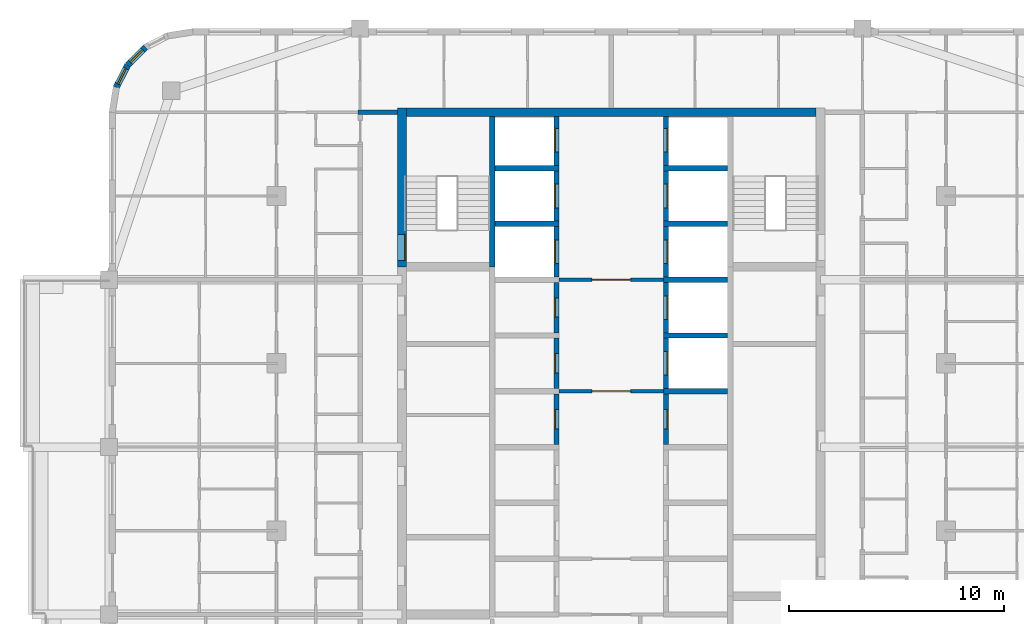
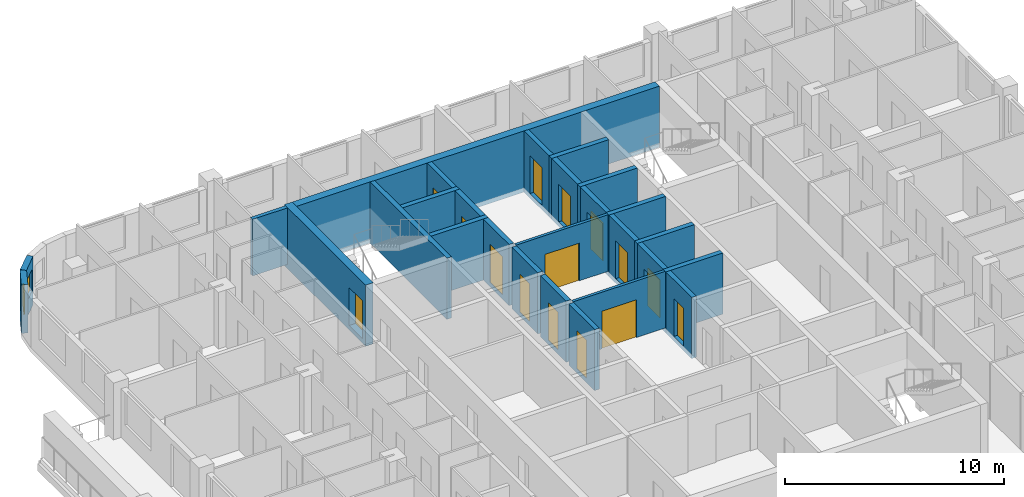
# One storey, part 9 of 16: 27 walls, 15 doors, 2 windows, 17 openings.
"""IFC4 building model written with IfcOpenShell, lengths in metres."""

from ifc_helpers import new_model, si_unit, direction, frame, frame_2d, origin, place, context, subcontext, project, spatial, rectangle, extrude, material, layer, layer_set, type_object, element, fill, save


model = new_model("IFC4")

# Units and contexts
model_context = context("Model", 3, precision=1e-05, world=origin(), true_north=direction((0.0, 1.0)))
body_context = subcontext(model_context, "Body", "Model", "MODEL_VIEW")
ifc_project = project(units=[si_unit("LENGTHUNIT", "METRE"), si_unit("AREAUNIT", "SQUARE_METRE"), si_unit("VOLUMEUNIT", "CUBIC_METRE"), si_unit("PLANEANGLEUNIT", "RADIAN"), si_unit("MASSUNIT", "GRAM", prefix="KILO")], contexts=[model_context])

# Site, building, storey
site_placement = place(None, origin())
site = spatial("IfcSite", under=ifc_project, at=site_placement, CompositionType="ELEMENT")
building_placement = place(site_placement, origin())
building = spatial("IfcBuilding", under=site, at=building_placement, Name="Ludao Terraces", CompositionType="ELEMENT")
storey_placement = place(building_placement, frame((0.0, 0.0, 234.699951171875)))
storey = spatial("IfcBuildingStorey", under=building, at=storey_placement, Name="L64", CompositionType="ELEMENT", Elevation=234.699951171875)

# Wall, opening, door
ifc_material_1 = material(Name="Concrete C50", Category="concrete")
ifc_layer_1 = layer(ifc_material_1, 0.39990234375)
ifc_layer_set_1 = layer_set([ifc_layer_1], Name="Core wall 400 C50")
wall_type_1 = type_object("IfcWallType", Name="Core wall 400 C50", PredefinedType="SOLIDWALL", material=ifc_layer_set_1)
wall_1_placement = place(storey_placement, frame((75.25, 77.300048828125, -0.25), z_axis=(0.0, 0.0, 1.0), x_axis=(0.0, 1.0, 0.0)))
wall_1 = element("IfcWall", 1, at=wall_1_placement, inside=storey, type_object=wall_type_1, Name="Core wall L64 outer-W-S1", PredefinedType="SOLIDWALL", context=body_context, shape_type="SweptSolid", body=[
    extrude(rectangle(XDim=7.39990234375, YDim=0.39990234375, at=frame_2d((3.699951171875, 0.0))), origin(), (0.0, 0.0, 1.0), 3.400146484375),
])
opening_1_placement = place(wall_1_placement, frame((0.300048828125, 0.0, 0.25)))
opening_1 = element("IfcOpeningElement", 2, at=opening_1_placement, cuts=wall_1, Name="Opening R23-113", PredefinedType="OPENING", context=body_context, shape_type="SweptSolid", body=[
    extrude(rectangle(XDim=1.199951171875, YDim=2.10009765625, at=frame_2d((0.60009765625, 1.050048828125))), frame((0.0, 0.2099609375, 0.0), z_axis=(0.0, -1.0, 0.0), x_axis=(1.0, 0.0, 0.0)), (0.0, 0.0, 1.0), 0.419921875),
])
ifc_material_2 = material(Name="Steel Q235", Category="steel")
door_type_1 = type_object("IfcDoorType", Name="INT Stair door 1200", OperationType="DOUBLE_DOOR_SINGLE_SWING", PredefinedType="DOOR", material=ifc_material_2)
door_1_placement = place(opening_1_placement, origin())
door_1 = element("IfcDoor", 3, at=door_1_placement, inside=storey, type_object=door_type_1, Name="DOOR 113", OperationType="DOUBLE_DOOR_SINGLE_SWING", OverallHeight=2.10009765625, OverallWidth=1.199951171875, PredefinedType="DOOR", context=body_context, shape_type="SweptSolid", body=[
    extrude(rectangle(XDim=1.199951171875, YDim=2.10009765625, at=frame_2d((0.60009765625, 1.050048828125))), frame((0.0, -0.134765625, 0.0), z_axis=(0.0, -1.0, 0.0), x_axis=(1.0, 0.0, 0.0)), (0.0, 0.0, 1.0), 0.050048828125),
])
fill(opening_1, door_1)

# Wall
wall_2_placement = place(storey_placement, frame((75.449951171875, 84.5, -0.25), z_axis=(0.0, 0.0, 1.0), x_axis=(1.0, 0.0, 0.0)))
element("IfcWall", 4, at=wall_2_placement, inside=storey, type_object=wall_type_1, Name="Core wall L64 outer-N", PredefinedType="SOLIDWALL", context=body_context, shape_type="SweptSolid", body=[
    extrude(rectangle(XDim=19.10009765625, YDim=0.39990234375, at=frame_2d((9.550048828125, 0.0))), origin(), (0.0, 0.0, 1.0), 3.400146484375),
])

# Wall, opening, window
ifc_material_3 = material(Name="Granite cladding", Category="masonry")
ifc_layer_2 = layer(ifc_material_3, 0.0400390625, Category="stone")
ifc_material_4 = material(Name="Mineral wool")
ifc_layer_3 = layer(ifc_material_4, 0.06005859375)
ifc_material_5 = material(Name="Concrete C40", Category="concrete")
ifc_layer_4 = layer(ifc_material_5, 0.199951171875, Category="concrete")
ifc_layer_set_2 = layer_set([ifc_layer_2, ifc_layer_3, ifc_layer_4], Name="ENV Stone-clad wall 300")
wall_type_2 = type_object("IfcWallType", Name="ENV Stone-clad wall 300", PredefinedType="SOLIDWALL", material=ifc_layer_set_2)
wall_3_placement = place(storey_placement, frame((63.2958984375, 87.53369140625, 0.0), z_axis=(0.0, 0.0, 1.0), x_axis=(-0.707106781187, -0.707106781187, 0.0)))
wall_3 = element("IfcWall", 5, at=wall_3_placement, inside=storey, type_object=wall_type_2, Name="EW-L64-NW3", PredefinedType="SOLIDWALL", context=body_context, shape_type="SweptSolid", body=[
    extrude(rectangle(XDim=1.173095703125, YDim=0.300048828125, at=frame_2d((0.58642578125, 0.0))), origin(), (0.0, 0.0, 1.0), 2.699951171875),
])
opening_2_placement = place(wall_3_placement, frame((0.1865234375, 0.0, 0.89990234375)))
opening_2 = element("IfcOpeningElement", 6, at=opening_2_placement, cuts=wall_3, Name="Opening W3", PredefinedType="OPENING", context=body_context, shape_type="SweptSolid", body=[
    extrude(rectangle(XDim=0.800048828125, YDim=1.199951171875, at=frame_2d((0.39990234375, 0.60009765625))), frame((0.0, 0.16015625, 0.0), z_axis=(0.0, -1.0, 0.0), x_axis=(1.0, 0.0, 0.0)), (0.0, 0.0, 1.0), 0.320068359375),
])
ifc_material_6 = material(Name="Clear glass in aluminium frame", Category="aluminium")
ifc_layer_5 = layer(ifc_material_6, 0.06005859375)
ifc_layer_set_3 = layer_set([ifc_layer_5], Name="ENV Window W3 800x1200")
window_type = type_object("IfcWindowType", Name="ENV Window W3 800x1200", PartitioningType="SINGLE_PANEL", PredefinedType="WINDOW", material=ifc_layer_set_3)
window_1_placement = place(opening_2_placement, origin())
window_1 = element("IfcWindow", 7, at=window_1_placement, inside=storey, type_object=window_type, Name="W-L64-NW3", OverallHeight=1.199951171875, OverallWidth=0.800048828125, PartitioningType="SINGLE_PANEL", PredefinedType="WINDOW", context=body_context, shape_type="SweptSolid", body=[
    extrude(rectangle(XDim=0.800048828125, YDim=1.199951171875, at=frame_2d((0.39990234375, 0.60009765625))), frame((0.0, 0.030029296875, 0.0), z_axis=(0.0, -1.0, 0.0), x_axis=(1.0, 0.0, 0.0)), (0.0, 0.0, 1.0), 0.06005859375),
])
fill(opening_2, window_1)

wall_4_placement = place(storey_placement, frame((62.46630859375, 86.7041015625, 0.0), z_axis=(0.0, 0.0, 1.0), x_axis=(-0.454025524128, -0.890988677504, 0.0)))
wall_4 = element("IfcWall", 8, at=wall_4_placement, inside=storey, type_object=wall_type_2, Name="EW-L64-NW4", PredefinedType="SOLIDWALL", context=body_context, shape_type="SweptSolid", body=[
    extrude(rectangle(XDim=1.17333984375, YDim=0.300048828125, at=frame_2d((0.586669921875, 0.0))), origin(), (0.0, 0.0, 1.0), 2.699951171875),
])
opening_3_placement = place(wall_4_placement, frame((0.1865234375, 0.0, 0.89990234375)))
opening_3 = element("IfcOpeningElement", 9, at=opening_3_placement, cuts=wall_4, Name="Opening W3", PredefinedType="OPENING", context=body_context, shape_type="SweptSolid", body=[
    extrude(rectangle(XDim=0.800048828125, YDim=1.199951171875, at=frame_2d((0.39990234375, 0.60009765625))), frame((0.0, 0.16015625, 0.0), z_axis=(0.0, -1.0, 0.0), x_axis=(1.0, 0.0, 0.0)), (0.0, 0.0, 1.0), 0.320068359375),
])
window_2_placement = place(opening_3_placement, origin())
window_2 = element("IfcWindow", 10, at=window_2_placement, inside=storey, type_object=window_type, Name="W-L64-NW4", OverallHeight=1.199951171875, OverallWidth=0.800048828125, PartitioningType="SINGLE_PANEL", PredefinedType="WINDOW", context=body_context, shape_type="SweptSolid", body=[
    extrude(rectangle(XDim=0.800048828125, YDim=1.199951171875, at=frame_2d((0.39990234375, 0.60009765625))), frame((0.0, 0.030029296875, 0.0), z_axis=(0.0, -1.0, 0.0), x_axis=(1.0, 0.0, 0.0)), (0.0, 0.0, 1.0), 0.06005859375),
])
fill(opening_3, window_2)

# Wall, opening, door
ifc_material_7 = material(Name="Fire-rated gypsum plasterboard", Category="gypsum")
ifc_layer_6 = layer(ifc_material_7, 0.012451171875, Category="gypsum")
ifc_layer_7 = layer(ifc_material_4, 0.10009765625, Name="insulation")
ifc_layer_8 = layer(ifc_material_2, 0.02490234375, Name="stud")
ifc_layer_9 = layer(ifc_material_7, 0.012451171875, Category="gypsum")
ifc_layer_set_4 = layer_set([ifc_layer_6, ifc_layer_7, ifc_layer_8, ifc_layer_9], Name="INT Core partition 150")
wall_type_3 = type_object("IfcWallType", Name="INT Core partition 150", PredefinedType="PARTITIONING", material=ifc_layer_set_4)
wall_5_placement = place(storey_placement, frame((82.5751953125, 71.5, 0.0), z_axis=(0.0, 0.0, 1.0), x_axis=(1.0, 0.0, 0.0)))
wall_5 = element("IfcWall", 11, at=wall_5_placement, inside=storey, type_object=wall_type_3, Name="PW-L64-PW050", PredefinedType="PARTITIONING", context=body_context, shape_type="SweptSolid", body=[
    extrude(rectangle(XDim=4.849853515625, YDim=0.14990234375, at=frame_2d((2.4248046875, 0.0))), origin(), (0.0, 0.0, 1.0), 3.150146484375),
])
opening_4_placement = place(wall_5_placement, frame((1.52490234375, 0.0, 0.0)))
opening_4 = element("IfcOpeningElement", 12, at=opening_4_placement, cuts=wall_5, Name="Opening R23-091", PredefinedType="OPENING", context=body_context, shape_type="SweptSolid", body=[
    extrude(rectangle(XDim=1.800048828125, YDim=2.10009765625, at=frame_2d((0.89990234375, 1.050048828125))), frame((0.0, 0.0849609375, 0.0), z_axis=(0.0, -1.0, 0.0), x_axis=(1.0, 0.0, 0.0)), (0.0, 0.0, 1.0), 0.169921875),
])
door_type_2 = type_object("IfcDoorType", Name="INT Fire lobby door 1800", OperationType="DOUBLE_DOOR_SINGLE_SWING", PredefinedType="DOOR", material=ifc_material_2)
door_2_placement = place(opening_4_placement, origin())
door_2 = element("IfcDoor", 13, at=door_2_placement, inside=storey, type_object=door_type_2, Name="DOOR 091", OperationType="DOUBLE_DOOR_SINGLE_SWING", OverallHeight=2.10009765625, OverallWidth=1.800048828125, PredefinedType="DOOR", context=body_context, shape_type="SweptSolid", body=[
    extrude(rectangle(XDim=1.800048828125, YDim=2.10009765625, at=frame_2d((0.89990234375, 1.050048828125))), frame((0.0, 0.02490234375, 0.0), z_axis=(0.0, -1.0, 0.0), x_axis=(1.0, 0.0, 0.0)), (0.0, 0.0, 1.0), 0.050048828125),
])
fill(opening_4, door_2)

wall_6_placement = place(storey_placement, frame((82.5751953125, 76.699951171875, 0.0), z_axis=(0.0, 0.0, 1.0), x_axis=(1.0, 0.0, 0.0)))
wall_6 = element("IfcWall", 14, at=wall_6_placement, inside=storey, type_object=wall_type_3, Name="PW-L64-PW057", PredefinedType="PARTITIONING", context=body_context, shape_type="SweptSolid", body=[
    extrude(rectangle(XDim=4.849853515625, YDim=0.14990234375, at=frame_2d((2.4248046875, 0.0))), origin(), (0.0, 0.0, 1.0), 3.150146484375),
])
opening_5_placement = place(wall_6_placement, frame((1.52490234375, 0.0, 0.0)))
opening_5 = element("IfcOpeningElement", 15, at=opening_5_placement, cuts=wall_6, Name="Opening R23-108", PredefinedType="OPENING", context=body_context, shape_type="SweptSolid", body=[
    extrude(rectangle(XDim=1.800048828125, YDim=2.10009765625, at=frame_2d((0.89990234375, 1.050048828125))), frame((0.0, 0.0849609375, 0.0), z_axis=(0.0, -1.0, 0.0), x_axis=(1.0, 0.0, 0.0)), (0.0, 0.0, 1.0), 0.169921875),
])
door_3_placement = place(opening_5_placement, origin())
door_3 = element("IfcDoor", 16, at=door_3_placement, inside=storey, type_object=door_type_2, Name="DOOR 108", OperationType="DOUBLE_DOOR_SINGLE_SWING", OverallHeight=2.10009765625, OverallWidth=1.800048828125, PredefinedType="DOOR", context=body_context, shape_type="SweptSolid", body=[
    extrude(rectangle(XDim=1.800048828125, YDim=2.10009765625, at=frame_2d((0.89990234375, 1.050048828125))), frame((0.0, 0.02490234375, 0.0), z_axis=(0.0, -1.0, 0.0), x_axis=(1.0, 0.0, 0.0)), (0.0, 0.0, 1.0), 0.050048828125),
])
fill(opening_5, door_3)

# Walls
ifc_material_8 = material(Name="Autoclaved aerated concrete block B06 A3.5", Category="concrete")
ifc_layer_10 = layer(ifc_material_8, 0.199951171875)
ifc_layer_set_5 = layer_set([ifc_layer_10], Name="INT Entrance wall 200")
wall_type_4 = type_object("IfcWallType", Name="INT Entrance wall 200", PredefinedType="PARTITIONING", material=ifc_layer_set_5)
wall_7_placement = place(storey_placement, frame((73.2001953125, 84.5, 0.0), z_axis=(0.0, 0.0, 1.0), x_axis=(1.0, 0.0, 0.0)))
element("IfcWall", 17, at=wall_7_placement, inside=storey, type_object=wall_type_4, Name="PW-L64-PW068", PredefinedType="PARTITIONING", context=body_context, shape_type="SweptSolid", body=[
    extrude(rectangle(XDim=1.849853515625, YDim=0.199951171875, at=frame_2d((0.9248046875, 0.0))), origin(), (0.0, 0.0, 1.0), 3.150146484375),
])
ifc_layer_11 = layer(ifc_material_1, 0.25)
ifc_layer_set_6 = layer_set([ifc_layer_11], Name="Shaft wall 250 C50")
wall_type_5 = type_object("IfcWallType", Name="Shaft wall 250 C50", PredefinedType="SOLIDWALL", material=ifc_layer_set_6)
wall_8_placement = place(storey_placement, frame((79.449951171875, 77.300048828125, -0.25), z_axis=(0.0, 0.0, 1.0), x_axis=(0.0, 1.0, 0.0)))
element("IfcWall", 18, at=wall_8_placement, inside=storey, type_object=wall_type_5, Name="Core wall L64 back-W-S1", PredefinedType="SOLIDWALL", context=body_context, shape_type="SweptSolid", body=[
    extrude(rectangle(XDim=7.0, YDim=0.25, at=frame_2d((3.5, 0.0))), origin(), (0.0, 0.0, 1.0), 3.400146484375),
])

# Wall, opening, door
wall_9_placement = place(storey_placement, frame((82.449951171875, 69.02490234375, -0.25), z_axis=(0.0, 0.0, 1.0), x_axis=(0.0, 1.0, 0.0)))
wall_9 = element("IfcWall", 19, at=wall_9_placement, inside=storey, type_object=wall_type_5, Name="Core wall L64 front-W4", PredefinedType="SOLIDWALL", context=body_context, shape_type="SweptSolid", body=[
    extrude(rectangle(XDim=2.35009765625, YDim=0.25, at=frame_2d((1.175048828125, 0.0))), origin(), (0.0, 0.0, 1.0), 3.400146484375),
])
opening_6_placement = place(wall_9_placement, frame((0.72509765625, 0.0, 0.25)))
opening_6 = element("IfcOpeningElement", 20, at=opening_6_placement, cuts=wall_9, Name="Opening R23-085", PredefinedType="OPENING", context=body_context, shape_type="SweptSolid", body=[
    extrude(rectangle(XDim=0.89990234375, YDim=2.10009765625, at=frame_2d((0.449951171875, 1.050048828125))), frame((0.0, 0.135009765625, 0.0), z_axis=(0.0, -1.0, 0.0), x_axis=(1.0, 0.0, 0.0)), (0.0, 0.0, 1.0), 0.27001953125),
])
ifc_material_9 = material(Name="Timber door leaf", Category="wood")
door_type_3 = type_object("IfcDoorType", Name="INT Room door 900", OperationType="SINGLE_SWING_LEFT", PredefinedType="DOOR", material=ifc_material_9)
door_4_placement = place(opening_6_placement, origin())
door_4 = element("IfcDoor", 21, at=door_4_placement, inside=storey, type_object=door_type_3, Name="DOOR 085", OperationType="SINGLE_SWING_LEFT", OverallHeight=2.10009765625, OverallWidth=0.89990234375, PredefinedType="DOOR", context=body_context, shape_type="SweptSolid", body=[
    extrude(rectangle(XDim=0.89990234375, YDim=2.10009765625, at=frame_2d((0.449951171875, 1.050048828125))), frame((0.0, 0.10986328125, 0.0), z_axis=(0.0, -1.0, 0.0), x_axis=(1.0, 0.0, 0.0)), (0.0, 0.0, 1.0), 0.050048828125),
])
fill(opening_6, door_4)

wall_10_placement = place(storey_placement, frame((82.449951171875, 71.625, -0.25), z_axis=(0.0, 0.0, 1.0), x_axis=(0.0, 1.0, 0.0)))
wall_10 = element("IfcWall", 22, at=wall_10_placement, inside=storey, type_object=wall_type_5, Name="Core wall L64 front-W5", PredefinedType="SOLIDWALL", context=body_context, shape_type="SweptSolid", body=[
    extrude(rectangle(XDim=2.35009765625, YDim=0.25, at=frame_2d((1.175048828125, 0.0))), origin(), (0.0, 0.0, 1.0), 3.400146484375),
])
opening_7_placement = place(wall_10_placement, frame((0.72509765625, 0.0, 0.25)))
opening_7 = element("IfcOpeningElement", 23, at=opening_7_placement, cuts=wall_10, Name="Opening R23-095", PredefinedType="OPENING", context=body_context, shape_type="SweptSolid", body=[
    extrude(rectangle(XDim=0.89990234375, YDim=2.10009765625, at=frame_2d((0.449951171875, 1.050048828125))), frame((0.0, 0.135009765625, 0.0), z_axis=(0.0, -1.0, 0.0), x_axis=(1.0, 0.0, 0.0)), (0.0, 0.0, 1.0), 0.27001953125),
])
door_5_placement = place(opening_7_placement, origin())
door_5 = element("IfcDoor", 24, at=door_5_placement, inside=storey, type_object=door_type_3, Name="DOOR 095", OperationType="SINGLE_SWING_RIGHT", OverallHeight=2.10009765625, OverallWidth=0.89990234375, PredefinedType="DOOR", context=body_context, shape_type="SweptSolid", body=[
    extrude(rectangle(XDim=0.89990234375, YDim=2.10009765625, at=frame_2d((0.449951171875, 1.050048828125))), frame((0.0, 0.10986328125, 0.0), z_axis=(0.0, -1.0, 0.0), x_axis=(1.0, 0.0, 0.0)), (0.0, 0.0, 1.0), 0.050048828125),
])
fill(opening_7, door_5)

wall_11_placement = place(storey_placement, frame((82.449951171875, 74.22509765625, -0.25), z_axis=(0.0, 0.0, 1.0), x_axis=(0.0, 1.0, 0.0)))
wall_11 = element("IfcWall", 25, at=wall_11_placement, inside=storey, type_object=wall_type_5, Name="Core wall L64 front-W6", PredefinedType="SOLIDWALL", context=body_context, shape_type="SweptSolid", body=[
    extrude(rectangle(XDim=2.349853515625, YDim=0.25, at=frame_2d((1.1748046875, 0.0))), origin(), (0.0, 0.0, 1.0), 3.400146484375),
])
opening_8_placement = place(wall_11_placement, frame((0.72509765625, 0.0, 0.25)))
opening_8 = element("IfcOpeningElement", 26, at=opening_8_placement, cuts=wall_11, Name="Opening R23-101", PredefinedType="OPENING", context=body_context, shape_type="SweptSolid", body=[
    extrude(rectangle(XDim=0.89990234375, YDim=2.10009765625, at=frame_2d((0.449951171875, 1.050048828125))), frame((0.0, 0.135009765625, 0.0), z_axis=(0.0, -1.0, 0.0), x_axis=(1.0, 0.0, 0.0)), (0.0, 0.0, 1.0), 0.27001953125),
])
door_6_placement = place(opening_8_placement, origin())
door_6 = element("IfcDoor", 27, at=door_6_placement, inside=storey, type_object=door_type_3, Name="DOOR 101", OperationType="SINGLE_SWING_LEFT", OverallHeight=2.10009765625, OverallWidth=0.89990234375, PredefinedType="DOOR", context=body_context, shape_type="SweptSolid", body=[
    extrude(rectangle(XDim=0.89990234375, YDim=2.10009765625, at=frame_2d((0.449951171875, 1.050048828125))), frame((0.0, 0.10986328125, 0.0), z_axis=(0.0, -1.0, 0.0), x_axis=(1.0, 0.0, 0.0)), (0.0, 0.0, 1.0), 0.050048828125),
])
fill(opening_8, door_6)

wall_12_placement = place(storey_placement, frame((82.449951171875, 76.824951171875, -0.25), z_axis=(0.0, 0.0, 1.0), x_axis=(0.0, 1.0, 0.0)))
wall_12 = element("IfcWall", 28, at=wall_12_placement, inside=storey, type_object=wall_type_5, Name="Core wall L64 front-W7", PredefinedType="SOLIDWALL", context=body_context, shape_type="SweptSolid", body=[
    extrude(rectangle(XDim=2.35009765625, YDim=0.25, at=frame_2d((1.175048828125, 0.0))), origin(), (0.0, 0.0, 1.0), 3.400146484375),
])
opening_9_placement = place(wall_12_placement, frame((0.625, 0.0, 0.25)))
opening_9 = element("IfcOpeningElement", 29, at=opening_9_placement, cuts=wall_12, Name="Opening LD-FF1", PredefinedType="OPENING", context=body_context, shape_type="SweptSolid", body=[
    extrude(rectangle(XDim=1.10009765625, YDim=2.10009765625, at=frame_2d((0.550048828125, 1.050048828125))), frame((0.0, 0.135009765625, 0.0), z_axis=(0.0, -1.0, 0.0), x_axis=(1.0, 0.0, 0.0)), (0.0, 0.0, 1.0), 0.27001953125),
])
ifc_material_10 = material(Name="Stainless steel 304", Category="steel")
door_type_4 = type_object("IfcDoorType", Name="INT Lift landing door 1100", OperationType="SLIDING_TO_LEFT", PredefinedType="DOOR", material=ifc_material_10)
door_7_placement = place(opening_9_placement, origin())
door_7 = element("IfcDoor", 30, at=door_7_placement, inside=storey, type_object=door_type_4, Name="LANDING DOOR FF1 L64", OperationType="SLIDING_TO_LEFT", OverallHeight=2.10009765625, OverallWidth=1.10009765625, PredefinedType="DOOR", context=body_context, shape_type="SweptSolid", body=[
    extrude(rectangle(XDim=1.10009765625, YDim=2.10009765625, at=frame_2d((0.550048828125, 1.050048828125))), frame((0.0, 0.10986328125, 0.0), z_axis=(0.0, -1.0, 0.0), x_axis=(1.0, 0.0, 0.0)), (0.0, 0.0, 1.0), 0.050048828125),
])
fill(opening_9, door_7)

# Wall
wall_13_placement = place(storey_placement, frame((79.574951171875, 79.300048828125, -0.25), z_axis=(0.0, 0.0, 1.0), x_axis=(1.0, 0.0, 0.0)))
element("IfcWall", 31, at=wall_13_placement, inside=storey, type_object=wall_type_5, Name="Core wall L64 div-W8", PredefinedType="SOLIDWALL", context=body_context, shape_type="SweptSolid", body=[
    extrude(rectangle(XDim=3.0, YDim=0.25, at=frame_2d((1.5, 0.0))), origin(), (0.0, 0.0, 1.0), 3.400146484375),
])

# Wall, opening, door
wall_14_placement = place(storey_placement, frame((82.449951171875, 79.425048828125, -0.25), z_axis=(0.0, 0.0, 1.0), x_axis=(0.0, 1.0, 0.0)))
wall_14 = element("IfcWall", 32, at=wall_14_placement, inside=storey, type_object=wall_type_5, Name="Core wall L64 front-W8", PredefinedType="SOLIDWALL", context=body_context, shape_type="SweptSolid", body=[
    extrude(rectangle(XDim=2.349853515625, YDim=0.25, at=frame_2d((1.1748046875, 0.0))), origin(), (0.0, 0.0, 1.0), 3.400146484375),
])
opening_10_placement = place(wall_14_placement, frame((0.625, 0.0, 0.25)))
opening_10 = element("IfcOpeningElement", 33, at=opening_10_placement, cuts=wall_14, Name="Opening LD-FF2", PredefinedType="OPENING", context=body_context, shape_type="SweptSolid", body=[
    extrude(rectangle(XDim=1.10009765625, YDim=2.10009765625, at=frame_2d((0.550048828125, 1.050048828125))), frame((0.0, 0.135009765625, 0.0), z_axis=(0.0, -1.0, 0.0), x_axis=(1.0, 0.0, 0.0)), (0.0, 0.0, 1.0), 0.27001953125),
])
door_8_placement = place(opening_10_placement, origin())
door_8 = element("IfcDoor", 34, at=door_8_placement, inside=storey, type_object=door_type_4, Name="LANDING DOOR FF2 L64", OperationType="SLIDING_TO_LEFT", OverallHeight=2.10009765625, OverallWidth=1.10009765625, PredefinedType="DOOR", context=body_context, shape_type="SweptSolid", body=[
    extrude(rectangle(XDim=1.10009765625, YDim=2.10009765625, at=frame_2d((0.550048828125, 1.050048828125))), frame((0.0, 0.10986328125, 0.0), z_axis=(0.0, -1.0, 0.0), x_axis=(1.0, 0.0, 0.0)), (0.0, 0.0, 1.0), 0.050048828125),
])
fill(opening_10, door_8)

# Wall
wall_15_placement = place(storey_placement, frame((79.574951171875, 81.89990234375, -0.25), z_axis=(0.0, 0.0, 1.0), x_axis=(1.0, 0.0, 0.0)))
element("IfcWall", 35, at=wall_15_placement, inside=storey, type_object=wall_type_5, Name="Core wall L64 div-W9", PredefinedType="SOLIDWALL", context=body_context, shape_type="SweptSolid", body=[
    extrude(rectangle(XDim=3.0, YDim=0.25, at=frame_2d((1.5, 0.0))), origin(), (0.0, 0.0, 1.0), 3.400146484375),
])

# Wall, opening, door
wall_16_placement = place(storey_placement, frame((82.449951171875, 82.02490234375, -0.25), z_axis=(0.0, 0.0, 1.0), x_axis=(0.0, 1.0, 0.0)))
wall_16 = element("IfcWall", 36, at=wall_16_placement, inside=storey, type_object=wall_type_5, Name="Core wall L64 front-W9", PredefinedType="SOLIDWALL", context=body_context, shape_type="SweptSolid", body=[
    extrude(rectangle(XDim=2.275146484375, YDim=0.25, at=frame_2d((1.1376953125, 0.0))), origin(), (0.0, 0.0, 1.0), 3.400146484375),
])
opening_11_placement = place(wall_16_placement, frame((0.625, 0.0, 0.25)))
opening_11 = element("IfcOpeningElement", 37, at=opening_11_placement, cuts=wall_16, Name="Opening LD-LB6", PredefinedType="OPENING", context=body_context, shape_type="SweptSolid", body=[
    extrude(rectangle(XDim=1.10009765625, YDim=2.10009765625, at=frame_2d((0.550048828125, 1.050048828125))), frame((0.0, 0.135009765625, 0.0), z_axis=(0.0, -1.0, 0.0), x_axis=(1.0, 0.0, 0.0)), (0.0, 0.0, 1.0), 0.27001953125),
])
door_9_placement = place(opening_11_placement, origin())
door_9 = element("IfcDoor", 38, at=door_9_placement, inside=storey, type_object=door_type_4, Name="LANDING DOOR LB6 L64", OperationType="SLIDING_TO_RIGHT", OverallHeight=2.10009765625, OverallWidth=1.10009765625, PredefinedType="DOOR", context=body_context, shape_type="SweptSolid", body=[
    extrude(rectangle(XDim=1.10009765625, YDim=2.10009765625, at=frame_2d((0.550048828125, 1.050048828125))), frame((0.0, 0.10986328125, 0.0), z_axis=(0.0, -1.0, 0.0), x_axis=(1.0, 0.0, 0.0)), (0.0, 0.0, 1.0), 0.050048828125),
])
fill(opening_11, door_9)

wall_17_placement = place(storey_placement, frame((87.550048828125, 69.02490234375, -0.25), z_axis=(0.0, 0.0, 1.0), x_axis=(0.0, 1.0, 0.0)))
wall_17 = element("IfcWall", 39, at=wall_17_placement, inside=storey, type_object=wall_type_5, Name="Core wall L64 front-E4", PredefinedType="SOLIDWALL", context=body_context, shape_type="SweptSolid", body=[
    extrude(rectangle(XDim=2.35009765625, YDim=0.25, at=frame_2d((1.175048828125, 0.0))), origin(), (0.0, 0.0, 1.0), 3.400146484375),
])
opening_12_placement = place(wall_17_placement, frame((0.72509765625, 0.0, 0.25)))
opening_12 = element("IfcOpeningElement", 40, at=opening_12_placement, cuts=wall_17, Name="Opening R23-086", PredefinedType="OPENING", context=body_context, shape_type="SweptSolid", body=[
    extrude(rectangle(XDim=0.89990234375, YDim=2.10009765625, at=frame_2d((0.449951171875, 1.050048828125))), frame((0.0, 0.135009765625, 0.0), z_axis=(0.0, -1.0, 0.0), x_axis=(1.0, 0.0, 0.0)), (0.0, 0.0, 1.0), 0.27001953125),
])
door_10_placement = place(opening_12_placement, origin())
door_10 = element("IfcDoor", 41, at=door_10_placement, inside=storey, type_object=door_type_3, Name="DOOR 086", OperationType="SINGLE_SWING_RIGHT", OverallHeight=2.10009765625, OverallWidth=0.89990234375, PredefinedType="DOOR", context=body_context, shape_type="SweptSolid", body=[
    extrude(rectangle(XDim=0.89990234375, YDim=2.10009765625, at=frame_2d((0.449951171875, 1.050048828125))), frame((0.0, -0.06005859375, 0.0), z_axis=(0.0, -1.0, 0.0), x_axis=(1.0, 0.0, 0.0)), (0.0, 0.0, 1.0), 0.050048828125),
])
fill(opening_12, door_10)

# Wall
wall_18_placement = place(storey_placement, frame((87.425048828125, 71.5, -0.25), z_axis=(0.0, 0.0, 1.0), x_axis=(1.0, 0.0, 0.0)))
element("IfcWall", 42, at=wall_18_placement, inside=storey, type_object=wall_type_5, Name="Core wall L64 div-E5", PredefinedType="SOLIDWALL", context=body_context, shape_type="SweptSolid", body=[
    extrude(rectangle(XDim=3.0, YDim=0.25, at=frame_2d((1.5, 0.0))), origin(), (0.0, 0.0, 1.0), 3.400146484375),
])

# Wall, opening, door
wall_19_placement = place(storey_placement, frame((87.550048828125, 71.625, -0.25), z_axis=(0.0, 0.0, 1.0), x_axis=(0.0, 1.0, 0.0)))
wall_19 = element("IfcWall", 43, at=wall_19_placement, inside=storey, type_object=wall_type_5, Name="Core wall L64 front-E5", PredefinedType="SOLIDWALL", context=body_context, shape_type="SweptSolid", body=[
    extrude(rectangle(XDim=2.35009765625, YDim=0.25, at=frame_2d((1.175048828125, 0.0))), origin(), (0.0, 0.0, 1.0), 3.400146484375),
])
opening_13_placement = place(wall_19_placement, frame((0.625, 0.0, 0.25)))
opening_13 = element("IfcOpeningElement", 44, at=opening_13_placement, cuts=wall_19, Name="Opening LD-LB1", PredefinedType="OPENING", context=body_context, shape_type="SweptSolid", body=[
    extrude(rectangle(XDim=1.10009765625, YDim=2.10009765625, at=frame_2d((0.550048828125, 1.050048828125))), frame((0.0, 0.135009765625, 0.0), z_axis=(0.0, -1.0, 0.0), x_axis=(1.0, 0.0, 0.0)), (0.0, 0.0, 1.0), 0.27001953125),
])
door_11_placement = place(opening_13_placement, origin())
door_11 = element("IfcDoor", 45, at=door_11_placement, inside=storey, type_object=door_type_4, Name="LANDING DOOR LB1 L64", OperationType="SLIDING_TO_LEFT", OverallHeight=2.10009765625, OverallWidth=1.10009765625, PredefinedType="DOOR", context=body_context, shape_type="SweptSolid", body=[
    extrude(rectangle(XDim=1.10009765625, YDim=2.10009765625, at=frame_2d((0.550048828125, 1.050048828125))), frame((0.0, -0.06005859375, 0.0), z_axis=(0.0, -1.0, 0.0), x_axis=(1.0, 0.0, 0.0)), (0.0, 0.0, 1.0), 0.050048828125),
])
fill(opening_13, door_11)

# Wall
wall_20_placement = place(storey_placement, frame((87.425048828125, 74.10009765625, -0.25), z_axis=(0.0, 0.0, 1.0), x_axis=(1.0, 0.0, 0.0)))
element("IfcWall", 46, at=wall_20_placement, inside=storey, type_object=wall_type_5, Name="Core wall L64 div-E6", PredefinedType="SOLIDWALL", context=body_context, shape_type="SweptSolid", body=[
    extrude(rectangle(XDim=3.0, YDim=0.25, at=frame_2d((1.5, 0.0))), origin(), (0.0, 0.0, 1.0), 3.400146484375),
])

# Wall, opening, door
wall_21_placement = place(storey_placement, frame((87.550048828125, 74.22509765625, -0.25), z_axis=(0.0, 0.0, 1.0), x_axis=(0.0, 1.0, 0.0)))
wall_21 = element("IfcWall", 47, at=wall_21_placement, inside=storey, type_object=wall_type_5, Name="Core wall L64 front-E6", PredefinedType="SOLIDWALL", context=body_context, shape_type="SweptSolid", body=[
    extrude(rectangle(XDim=2.349853515625, YDim=0.25, at=frame_2d((1.1748046875, 0.0))), origin(), (0.0, 0.0, 1.0), 3.400146484375),
])
opening_14_placement = place(wall_21_placement, frame((0.625, 0.0, 0.25)))
opening_14 = element("IfcOpeningElement", 48, at=opening_14_placement, cuts=wall_21, Name="Opening LD-LB2", PredefinedType="OPENING", context=body_context, shape_type="SweptSolid", body=[
    extrude(rectangle(XDim=1.10009765625, YDim=2.10009765625, at=frame_2d((0.550048828125, 1.050048828125))), frame((0.0, 0.135009765625, 0.0), z_axis=(0.0, -1.0, 0.0), x_axis=(1.0, 0.0, 0.0)), (0.0, 0.0, 1.0), 0.27001953125),
])
door_12_placement = place(opening_14_placement, origin())
door_12 = element("IfcDoor", 49, at=door_12_placement, inside=storey, type_object=door_type_4, Name="LANDING DOOR LB2 L64", OperationType="SLIDING_TO_LEFT", OverallHeight=2.10009765625, OverallWidth=1.10009765625, PredefinedType="DOOR", context=body_context, shape_type="SweptSolid", body=[
    extrude(rectangle(XDim=1.10009765625, YDim=2.10009765625, at=frame_2d((0.550048828125, 1.050048828125))), frame((0.0, -0.06005859375, 0.0), z_axis=(0.0, -1.0, 0.0), x_axis=(1.0, 0.0, 0.0)), (0.0, 0.0, 1.0), 0.050048828125),
])
fill(opening_14, door_12)

# Wall
wall_22_placement = place(storey_placement, frame((87.425048828125, 76.699951171875, -0.25), z_axis=(0.0, 0.0, 1.0), x_axis=(1.0, 0.0, 0.0)))
element("IfcWall", 50, at=wall_22_placement, inside=storey, type_object=wall_type_5, Name="Core wall L64 div-E7", PredefinedType="SOLIDWALL", context=body_context, shape_type="SweptSolid", body=[
    extrude(rectangle(XDim=3.0, YDim=0.25, at=frame_2d((1.5, 0.0))), origin(), (0.0, 0.0, 1.0), 3.400146484375),
])

# Wall, opening, door
wall_23_placement = place(storey_placement, frame((87.550048828125, 76.824951171875, -0.25), z_axis=(0.0, 0.0, 1.0), x_axis=(0.0, 1.0, 0.0)))
wall_23 = element("IfcWall", 51, at=wall_23_placement, inside=storey, type_object=wall_type_5, Name="Core wall L64 front-E7", PredefinedType="SOLIDWALL", context=body_context, shape_type="SweptSolid", body=[
    extrude(rectangle(XDim=2.35009765625, YDim=0.25, at=frame_2d((1.175048828125, 0.0))), origin(), (0.0, 0.0, 1.0), 3.400146484375),
])
opening_15_placement = place(wall_23_placement, frame((0.625, 0.0, 0.25)))
opening_15 = element("IfcOpeningElement", 52, at=opening_15_placement, cuts=wall_23, Name="Opening LD-LB3", PredefinedType="OPENING", context=body_context, shape_type="SweptSolid", body=[
    extrude(rectangle(XDim=1.10009765625, YDim=2.10009765625, at=frame_2d((0.550048828125, 1.050048828125))), frame((0.0, 0.135009765625, 0.0), z_axis=(0.0, -1.0, 0.0), x_axis=(1.0, 0.0, 0.0)), (0.0, 0.0, 1.0), 0.27001953125),
])
door_13_placement = place(opening_15_placement, origin())
door_13 = element("IfcDoor", 53, at=door_13_placement, inside=storey, type_object=door_type_4, Name="LANDING DOOR LB3 L64", OperationType="SLIDING_TO_LEFT", OverallHeight=2.10009765625, OverallWidth=1.10009765625, PredefinedType="DOOR", context=body_context, shape_type="SweptSolid", body=[
    extrude(rectangle(XDim=1.10009765625, YDim=2.10009765625, at=frame_2d((0.550048828125, 1.050048828125))), frame((0.0, -0.06005859375, 0.0), z_axis=(0.0, -1.0, 0.0), x_axis=(1.0, 0.0, 0.0)), (0.0, 0.0, 1.0), 0.050048828125),
])
fill(opening_15, door_13)

# Wall
wall_24_placement = place(storey_placement, frame((87.425048828125, 79.300048828125, -0.25), z_axis=(0.0, 0.0, 1.0), x_axis=(1.0, 0.0, 0.0)))
element("IfcWall", 54, at=wall_24_placement, inside=storey, type_object=wall_type_5, Name="Core wall L64 div-E8", PredefinedType="SOLIDWALL", context=body_context, shape_type="SweptSolid", body=[
    extrude(rectangle(XDim=3.0, YDim=0.25, at=frame_2d((1.5, 0.0))), origin(), (0.0, 0.0, 1.0), 3.400146484375),
])

# Wall, opening, door
wall_25_placement = place(storey_placement, frame((87.550048828125, 79.425048828125, -0.25), z_axis=(0.0, 0.0, 1.0), x_axis=(0.0, 1.0, 0.0)))
wall_25 = element("IfcWall", 55, at=wall_25_placement, inside=storey, type_object=wall_type_5, Name="Core wall L64 front-E8", PredefinedType="SOLIDWALL", context=body_context, shape_type="SweptSolid", body=[
    extrude(rectangle(XDim=2.349853515625, YDim=0.25, at=frame_2d((1.1748046875, 0.0))), origin(), (0.0, 0.0, 1.0), 3.400146484375),
])
opening_16_placement = place(wall_25_placement, frame((0.625, 0.0, 0.25)))
opening_16 = element("IfcOpeningElement", 56, at=opening_16_placement, cuts=wall_25, Name="Opening LD-LB4", PredefinedType="OPENING", context=body_context, shape_type="SweptSolid", body=[
    extrude(rectangle(XDim=1.10009765625, YDim=2.10009765625, at=frame_2d((0.550048828125, 1.050048828125))), frame((0.0, 0.135009765625, 0.0), z_axis=(0.0, -1.0, 0.0), x_axis=(1.0, 0.0, 0.0)), (0.0, 0.0, 1.0), 0.27001953125),
])
door_14_placement = place(opening_16_placement, origin())
door_14 = element("IfcDoor", 57, at=door_14_placement, inside=storey, type_object=door_type_4, Name="LANDING DOOR LB4 L64", OperationType="SLIDING_TO_RIGHT", OverallHeight=2.10009765625, OverallWidth=1.10009765625, PredefinedType="DOOR", context=body_context, shape_type="SweptSolid", body=[
    extrude(rectangle(XDim=1.10009765625, YDim=2.10009765625, at=frame_2d((0.550048828125, 1.050048828125))), frame((0.0, -0.06005859375, 0.0), z_axis=(0.0, -1.0, 0.0), x_axis=(1.0, 0.0, 0.0)), (0.0, 0.0, 1.0), 0.050048828125),
])
fill(opening_16, door_14)

# Wall
wall_26_placement = place(storey_placement, frame((87.425048828125, 81.89990234375, -0.25), z_axis=(0.0, 0.0, 1.0), x_axis=(1.0, 0.0, 0.0)))
element("IfcWall", 58, at=wall_26_placement, inside=storey, type_object=wall_type_5, Name="Core wall L64 div-E9", PredefinedType="SOLIDWALL", context=body_context, shape_type="SweptSolid", body=[
    extrude(rectangle(XDim=3.0, YDim=0.25, at=frame_2d((1.5, 0.0))), origin(), (0.0, 0.0, 1.0), 3.400146484375),
])

# Wall, opening, door
wall_27_placement = place(storey_placement, frame((87.550048828125, 82.02490234375, -0.25), z_axis=(0.0, 0.0, 1.0), x_axis=(0.0, 1.0, 0.0)))
wall_27 = element("IfcWall", 59, at=wall_27_placement, inside=storey, type_object=wall_type_5, Name="Core wall L64 front-E9", PredefinedType="SOLIDWALL", context=body_context, shape_type="SweptSolid", body=[
    extrude(rectangle(XDim=2.275146484375, YDim=0.25, at=frame_2d((1.1376953125, 0.0))), origin(), (0.0, 0.0, 1.0), 3.400146484375),
])
opening_17_placement = place(wall_27_placement, frame((0.625, 0.0, 0.25)))
opening_17 = element("IfcOpeningElement", 60, at=opening_17_placement, cuts=wall_27, Name="Opening LD-LB5", PredefinedType="OPENING", context=body_context, shape_type="SweptSolid", body=[
    extrude(rectangle(XDim=1.10009765625, YDim=2.10009765625, at=frame_2d((0.550048828125, 1.050048828125))), frame((0.0, 0.135009765625, 0.0), z_axis=(0.0, -1.0, 0.0), x_axis=(1.0, 0.0, 0.0)), (0.0, 0.0, 1.0), 0.27001953125),
])
door_15_placement = place(opening_17_placement, origin())
door_15 = element("IfcDoor", 61, at=door_15_placement, inside=storey, type_object=door_type_4, Name="LANDING DOOR LB5 L64", OperationType="SLIDING_TO_RIGHT", OverallHeight=2.10009765625, OverallWidth=1.10009765625, PredefinedType="DOOR", context=body_context, shape_type="SweptSolid", body=[
    extrude(rectangle(XDim=1.10009765625, YDim=2.10009765625, at=frame_2d((0.550048828125, 1.050048828125))), frame((0.0, -0.06005859375, 0.0), z_axis=(0.0, -1.0, 0.0), x_axis=(1.0, 0.0, 0.0)), (0.0, 0.0, 1.0), 0.050048828125),
])
fill(opening_17, door_15)

save(model, "model.ifc")
